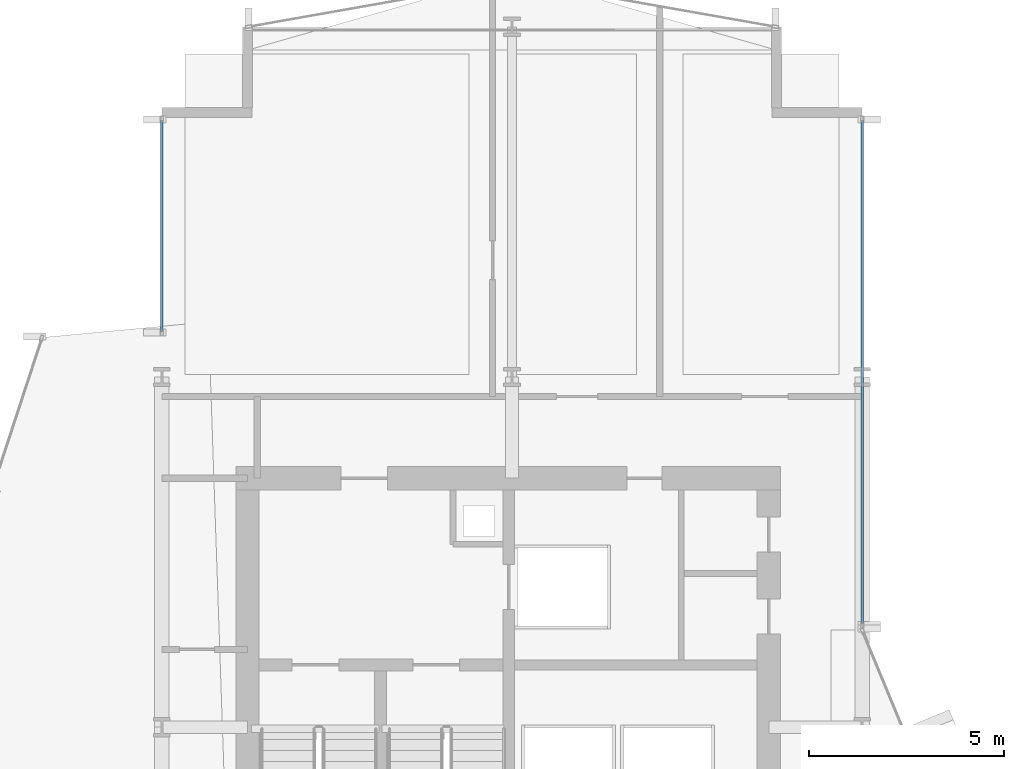
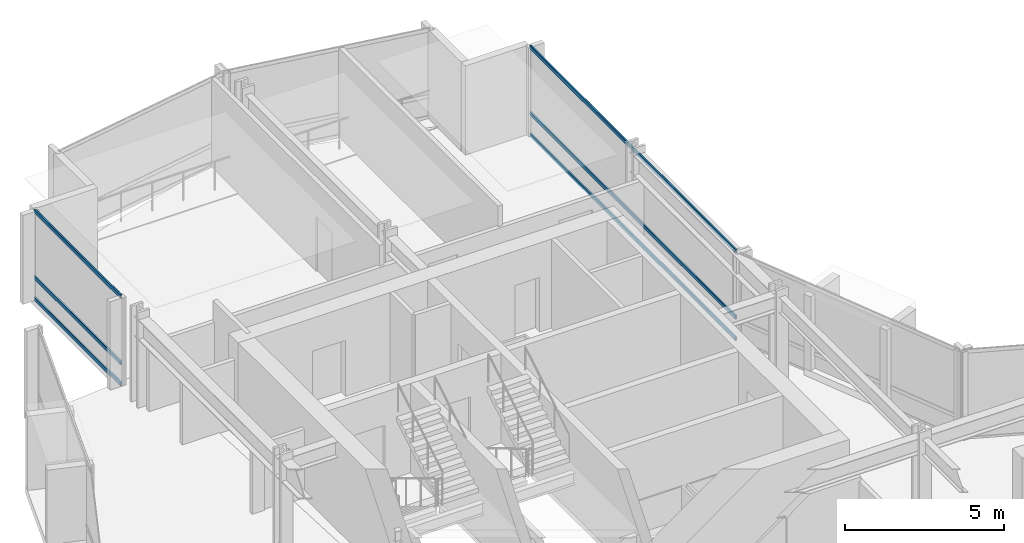
# One storey, part 22 of 34: 6 members, 2 elements without a shape of their own.
"""IFC4 building model written with IfcOpenShell, lengths in metres."""

import ifcopenshell
import ifcopenshell.guid

model = None  # the IFC model being written
_history = None  # IfcOwnerHistory: only IFC2X3 demands one
_inside = {}  # id of a spatial element -> (the spatial element, [elements in it])
_under = {}  # id of a project, library or spatial element -> (it, [spatial elements below it])
_declared = {}  # id of a project -> (the project, [libraries it declares])
_typed = {}  # id of a type object -> (the type object, [elements of that type])
_made_of = {}  # id of a material, layer set ... -> (it, [elements and type objects made of it])


def new_model(schema):
    """Start an empty IFC model of exactly this schema.

    Asked for "IFC4X3", IfcOpenShell would pick the latest addendum, in which some entities
    have other attributes; the version numbers below select the first issue.
    IFC2X3 requires an IfcOwnerHistory on every rooted entity: one is made here for all.
    """
    global model, _history
    if schema == "IFC4X3":
        model = ifcopenshell.file(schema_version=(4, 3, 0, 0))
    else:
        model = ifcopenshell.file(schema=schema)
    _inside.clear()
    _under.clear()
    _declared.clear()
    _typed.clear()
    _made_of.clear()
    _history = None
    if model.schema == "IFC2X3":
        org = make("IfcOrganization", Name="unknown")
        user = make(
            "IfcPersonAndOrganization",
            ThePerson=make("IfcPerson", FamilyName="unknown"),
            TheOrganization=org,
        )
        app = make(
            "IfcApplication",
            ApplicationDeveloper=org,
            Version="unknown",
            ApplicationFullName="unknown",
            ApplicationIdentifier="unknown",
        )
        _history = make(
            "IfcOwnerHistory",
            OwningUser=user,
            OwningApplication=app,
            ChangeAction="ADDED",
            CreationDate=0,
        )
    return model


def make(cls, **values):
    """One entity of the class cls with the attributes given. An attribute that is None is left unset."""
    return model.create_entity(
        cls, **{name: value for name, value in values.items() if value is not None}
    )


def rooted(cls, **values):
    """An entity with a GlobalId (a new one), such as an element, a storey or a relation."""
    return make(cls, GlobalId=ifcopenshell.guid.new(), OwnerHistory=_history, **values)


def si_unit(unit_type, name, prefix=None):
    """IfcSIUnit, for example si_unit("LENGTHUNIT", "METRE", prefix="MILLI")."""
    return make("IfcSIUnit", UnitType=unit_type, Prefix=prefix, Name=name)


def assignment(units):
    """IfcUnitAssignment: the units of a project."""
    return None if units is None else make("IfcUnitAssignment", Units=units)


def point(xyz):
    """IfcCartesianPoint."""
    return None if xyz is None else make("IfcCartesianPoint", Coordinates=xyz)


def direction(xyz):
    """IfcDirection."""
    return None if xyz is None else make("IfcDirection", DirectionRatios=xyz)


def frame(location, z_axis=None, x_axis=None):
    """IfcAxis2Placement3D, a coordinate frame: its origin and axes. An axis left out is left unset."""
    return make(
        "IfcAxis2Placement3D",
        Location=point(location),
        Axis=direction(z_axis),
        RefDirection=direction(x_axis),
    )


def frame_2d(location, x_axis=None):
    """IfcAxis2Placement2D, a coordinate frame in the plane: its origin and x axis."""
    return make(
        "IfcAxis2Placement2D", Location=point(location), RefDirection=direction(x_axis)
    )


def origin():
    """The frame at (0, 0, 0) with its axes left unset."""
    return frame((0.0, 0.0, 0.0))


def origin_2d():
    """The frame at (0, 0) in the plane with its x axis left unset."""
    return frame_2d((0.0, 0.0))


def place(relative_to, where):
    """IfcLocalPlacement: puts the frame where relative to a parent placement (None: the world)."""
    return make(
        "IfcLocalPlacement", PlacementRelTo=relative_to, RelativePlacement=where
    )


def context(
    kind, dimensions, precision=None, world=None, true_north=None, identifier=None
):
    """IfcGeometricRepresentationContext, for example the 3D "Model" context."""
    return make(
        "IfcGeometricRepresentationContext",
        ContextIdentifier=identifier,
        ContextType=kind,
        CoordinateSpaceDimension=dimensions,
        Precision=precision,
        WorldCoordinateSystem=world,
        TrueNorth=true_north,
    )


def subcontext(parent, identifier, kind, view, scale=None):
    """IfcGeometricRepresentationSubContext, for example "Body" below "Model"."""
    return make(
        "IfcGeometricRepresentationSubContext",
        ContextIdentifier=identifier,
        ContextType=kind,
        ParentContext=parent,
        TargetScale=scale,
        TargetView=view,
    )


def project(units=None, contexts=None):
    """IfcProject with its units and contexts."""
    return rooted(
        "IfcProject",
        Name="project",
        RepresentationContexts=contexts,
        UnitsInContext=assignment(units),
    )


def spatial(cls, under=None, at=None, **own):
    """A site, building, storey or space (cls), placed at a placement, below another one or the project."""
    s = rooted(cls, ObjectPlacement=at, **own)
    if under is not None:
        _under.setdefault(under.id(), (under, []))[1].append(s)
    return s


def profile(cls, at=None, kind="AREA", **sizes):
    """A parametric profile (cls). Its sizes go by their IFC names, for example OverallWidth=200.0."""
    return make(cls, ProfileType=kind, Position=at, **sizes)


def hollow_rectangle(**sizes):
    """IfcRectangleHollowProfileDef."""
    return profile("IfcRectangleHollowProfileDef", **sizes)


def extrude(swept, where, along, depth):
    """IfcExtrudedAreaSolid: the profile swept, set in the frame where, extruded along a direction by depth."""
    return make(
        "IfcExtrudedAreaSolid",
        SweptArea=swept,
        Position=where,
        ExtrudedDirection=direction(along),
        Depth=depth,
    )


def shape(context_of_items, identifier, shape_type, items):
    """IfcShapeRepresentation: the items that make up one representation, for example the "Body"."""
    return make(
        "IfcShapeRepresentation",
        ContextOfItems=context_of_items,
        RepresentationIdentifier=identifier,
        RepresentationType=shape_type,
        Items=items,
    )


def material(Name=None, Category=None):
    """IfcMaterial."""
    return make("IfcMaterial", Name=Name, Category=Category)


def layer(
    of_material, thickness, ventilated=None, Name=None, Category=None, Priority=None
):
    """IfcMaterialLayer: one layer of a wall or slab, of a material (None: an air gap)."""
    return make(
        "IfcMaterialLayer",
        Material=of_material,
        LayerThickness=thickness,
        IsVentilated=ventilated,
        Name=Name,
        Category=Category,
        Priority=Priority,
    )


def layer_set(layers, Name=None):
    """IfcMaterialLayerSet."""
    return make("IfcMaterialLayerSet", MaterialLayers=layers, LayerSetName=Name)


def material_profile(
    of_material, cross_section, Name=None, Category=None, Priority=None
):
    """IfcMaterialProfile: a cross section and its material."""
    return make(
        "IfcMaterialProfile",
        Name=Name,
        Material=of_material,
        Profile=cross_section,
        Priority=Priority,
        Category=Category,
    )


def profile_set(profiles, Name=None, composite=None):
    """IfcMaterialProfileSet."""
    return make(
        "IfcMaterialProfileSet",
        Name=Name,
        MaterialProfiles=profiles,
        CompositeProfile=composite,
    )


def made_of(thing, what):
    """Note that an element or type object is made of a material, layer set ...; save() writes the relation."""
    if what is not None:
        _made_of.setdefault(what.id(), (what, []))[1].append(thing)
    return thing


def type_object(cls, material=None, **own):
    """A type object (cls), such as IfcWallType, which elements share."""
    return made_of(rooted(cls, **own), material)


def element(
    cls,
    number,
    at=None,
    inside=None,
    cuts=None,
    type_object=None,
    material=None,
    context=None,
    identifier="Body",
    shape_type=None,
    held_by="IfcProductDefinitionShape",
    body=None,
    shapes=None,
    **own,
):
    """One element of the class cls, such as IfcWall. Its Tag is "e" and its number.

    at: its placement. inside: the storey or other place that contains it. cuts: it is an
    opening in that element (IfcRelVoidsElement). A single representation is given by context,
    identifier, shape_type and body (its items); several are given by shapes. held_by: the class
    of the entity that holds the representations. save() writes the other relations.
    """
    e = rooted(cls, Tag="e%d" % number, ObjectPlacement=at, **own)
    if body is not None:
        shapes = [shape(context, identifier, shape_type, body)]
    if shapes is not None:
        e.Representation = make(held_by, Representations=shapes)
    if inside is not None:
        _inside.setdefault(inside.id(), (inside, []))[1].append(e)
    if cuts is not None:
        rooted(
            "IfcRelVoidsElement", RelatingBuildingElement=cuts, RelatedOpeningElement=e
        )
    if type_object is not None:
        _typed.setdefault(type_object.id(), (type_object, []))[1].append(e)
    return made_of(e, material)


def aggregate(whole, parts):
    """IfcRelAggregates: a whole, such as a stair, and the parts it consists of."""
    return rooted("IfcRelAggregates", RelatingObject=whole, RelatedObjects=parts)


def save(model, path):
    """Write the relations noted so far, then the file.

    IfcRelAggregates (storeys below a building ...), IfcRelContainedInSpatialStructure (elements
    in a storey), IfcRelDefinesByType, IfcRelAssociatesMaterial and IfcRelDeclares: one each for
    every whole, place, type object, material and project.
    """
    for whole, parts in _under.values():
        aggregate(whole, parts)
    for where, things in _inside.values():
        rooted(
            "IfcRelContainedInSpatialStructure",
            RelatedElements=things,
            RelatingStructure=where,
        )
    for kind, things in _typed.values():
        rooted("IfcRelDefinesByType", RelatedObjects=things, RelatingType=kind)
    for what, things in _made_of.values():
        rooted("IfcRelAssociatesMaterial", RelatedObjects=things, RelatingMaterial=what)
    for by, libraries in _declared.values():
        rooted("IfcRelDeclares", RelatingContext=by, RelatedDefinitions=libraries)
    model.write(path)


model = new_model("IFC4")

# Units and contexts
model_context = context("Model", 3, precision=1e-05, world=origin(), true_north=direction((0.0, 1.0)))
body_context = subcontext(model_context, "Body", "Model", "MODEL_VIEW")
ifc_project = project(units=[si_unit("LENGTHUNIT", "METRE"), si_unit("AREAUNIT", "SQUARE_METRE"), si_unit("VOLUMEUNIT", "CUBIC_METRE"), si_unit("PLANEANGLEUNIT", "RADIAN"), si_unit("MASSUNIT", "GRAM", prefix="KILO")], contexts=[model_context])

# Site, building, storey
site_placement = place(None, origin())
site = spatial("IfcSite", under=ifc_project, at=site_placement, CompositionType="ELEMENT")
building_placement = place(site_placement, origin())
building = spatial("IfcBuilding", under=site, at=building_placement, Name="Solvaryn Broadcast Tower", CompositionType="ELEMENT")
storey_placement = place(building_placement, frame((0.0, 0.0, 61.89990234375)))
storey = spatial("IfcBuildingStorey", under=building, at=storey_placement, Name="L14", CompositionType="ELEMENT", Elevation=61.89990234375)

# Curtain wall, members
ifc_material_1 = material(Name="Aluminium and Terracotta Unitised Curtain Wall", Category="masonry")
ifc_layer = layer(ifc_material_1, 0.199951171875)
ifc_layer_set = layer_set([ifc_layer], Name="CW-SYS2-LOWMID")
curtain_wall_type = type_object("IfcCurtainWallType", Name="CW-SYS2-LOWMID", PredefinedType="NOTDEFINED", material=ifc_layer_set)
curtain_wall_1_placement = place(storey_placement, origin())
curtain_wall_1 = element("IfcCurtainWall", 1, at=curtain_wall_1_placement, inside=storey, type_object=curtain_wall_type, Name="L14 Curtain Wall W2", PredefinedType="NOTDEFINED")
ifc_material_2 = material(Name="Anodised Aluminium 6063-T6", Category="aluminium")
ifc_material_profile = material_profile(ifc_material_2, hollow_rectangle(XDim=0.06494140625, YDim=0.14990234375, WallThickness=0.00390625, InnerFilletRadius=0.00390625, OuterFilletRadius=0.008056640625, at=origin_2d()))
ifc_profile_set = profile_set([ifc_material_profile], Name="Anodised Aluminium 6063-T6")
member_type = type_object("IfcMemberType", Name="CW-TRN-150", PredefinedType="USERDEFINED", material=ifc_profile_set)
member_1_placement = place(storey_placement, frame((9.0, 46.176025390625, 0.030029296875), z_axis=(0.0, 1.0, 0.0), x_axis=(-1.0, 0.0, 0.0)))
member_1 = element("IfcMember", 2, at=member_1_placement, type_object=member_type, Name="CWS2 transom 1.1", ObjectType="TRANSOM", PredefinedType="USERDEFINED", context=body_context, shape_type="SweptSolid", body=[
    extrude(hollow_rectangle(XDim=0.06494140625, YDim=0.14990234375, WallThickness=0.00390625, InnerFilletRadius=0.00390625, OuterFilletRadius=0.008056640625, at=origin_2d()), origin(), (0.0, 0.0, 1.0), 5.4140625),
])
member_2_placement = place(storey_placement, frame((9.0, 46.176025390625, 0.85009765625), z_axis=(0.0, 1.0, 0.0), x_axis=(-1.0, 0.0, 0.0)))
member_2 = element("IfcMember", 3, at=member_2_placement, type_object=member_type, Name="CWS2 transom 1.2", ObjectType="TRANSOM", PredefinedType="USERDEFINED", context=body_context, shape_type="SweptSolid", body=[
    extrude(hollow_rectangle(XDim=0.06494140625, YDim=0.14990234375, WallThickness=0.00390625, InnerFilletRadius=0.00390625, OuterFilletRadius=0.008056640625, at=origin_2d()), origin(), (0.0, 0.0, 1.0), 5.4140625),
])
member_3_placement = place(storey_placement, frame((9.0, 46.176025390625, 3.39013671875), z_axis=(0.0, 1.0, 0.0), x_axis=(-1.0, 0.0, 0.0)))
member_3 = element("IfcMember", 4, at=member_3_placement, type_object=member_type, Name="CWS2 transom 1.3", ObjectType="TRANSOM", PredefinedType="USERDEFINED", context=body_context, shape_type="SweptSolid", body=[
    extrude(hollow_rectangle(XDim=0.06494140625, YDim=0.14990234375, WallThickness=0.00390625, InnerFilletRadius=0.00390625, OuterFilletRadius=0.008056640625, at=origin_2d()), origin(), (0.0, 0.0, 1.0), 5.4140625),
])
aggregate(curtain_wall_1, [member_1, member_2, member_3])

curtain_wall_2_placement = place(storey_placement, origin())
curtain_wall_2 = element("IfcCurtainWall", 5, at=curtain_wall_2_placement, inside=storey, type_object=curtain_wall_type, Name="L14 Curtain Wall IV", PredefinedType="NOTDEFINED")
member_4_placement = place(storey_placement, frame((27.0, 51.590087890625, 0.030029296875), z_axis=(0.0, -1.0, 0.0), x_axis=(1.0, 0.0, 0.0)))
member_4 = element("IfcMember", 6, at=member_4_placement, type_object=member_type, Name="CWS2 transom 1.1", ObjectType="TRANSOM", PredefinedType="USERDEFINED", context=body_context, shape_type="SweptSolid", body=[
    extrude(hollow_rectangle(XDim=0.06494140625, YDim=0.14990234375, WallThickness=0.00390625, InnerFilletRadius=0.00390625, OuterFilletRadius=0.008056640625, at=origin_2d()), origin(), (0.0, 0.0, 1.0), 12.93017578125),
])
member_5_placement = place(storey_placement, frame((27.0, 51.590087890625, 0.85009765625), z_axis=(0.0, -1.0, 0.0), x_axis=(1.0, 0.0, 0.0)))
member_5 = element("IfcMember", 7, at=member_5_placement, type_object=member_type, Name="CWS2 transom 1.2", ObjectType="TRANSOM", PredefinedType="USERDEFINED", context=body_context, shape_type="SweptSolid", body=[
    extrude(hollow_rectangle(XDim=0.06494140625, YDim=0.14990234375, WallThickness=0.00390625, InnerFilletRadius=0.00390625, OuterFilletRadius=0.008056640625, at=origin_2d()), origin(), (0.0, 0.0, 1.0), 12.93017578125),
])
member_6_placement = place(storey_placement, frame((27.0, 51.590087890625, 3.39013671875), z_axis=(0.0, -1.0, 0.0), x_axis=(1.0, 0.0, 0.0)))
member_6 = element("IfcMember", 8, at=member_6_placement, type_object=member_type, Name="CWS2 transom 1.3", ObjectType="TRANSOM", PredefinedType="USERDEFINED", context=body_context, shape_type="SweptSolid", body=[
    extrude(hollow_rectangle(XDim=0.06494140625, YDim=0.14990234375, WallThickness=0.00390625, InnerFilletRadius=0.00390625, OuterFilletRadius=0.008056640625, at=origin_2d()), origin(), (0.0, 0.0, 1.0), 12.93017578125),
])
aggregate(curtain_wall_2, [member_4, member_5, member_6])

save(model, "model.ifc")
